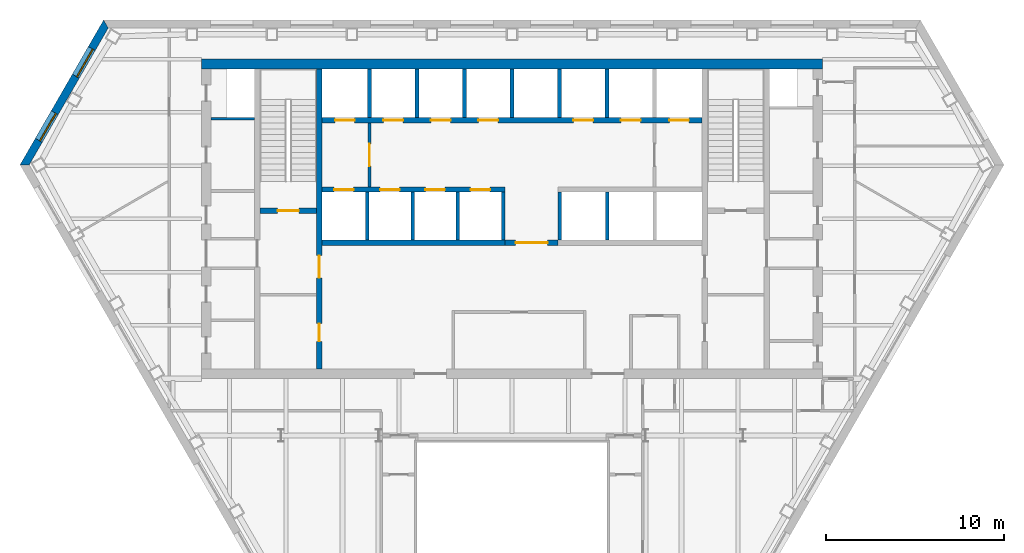
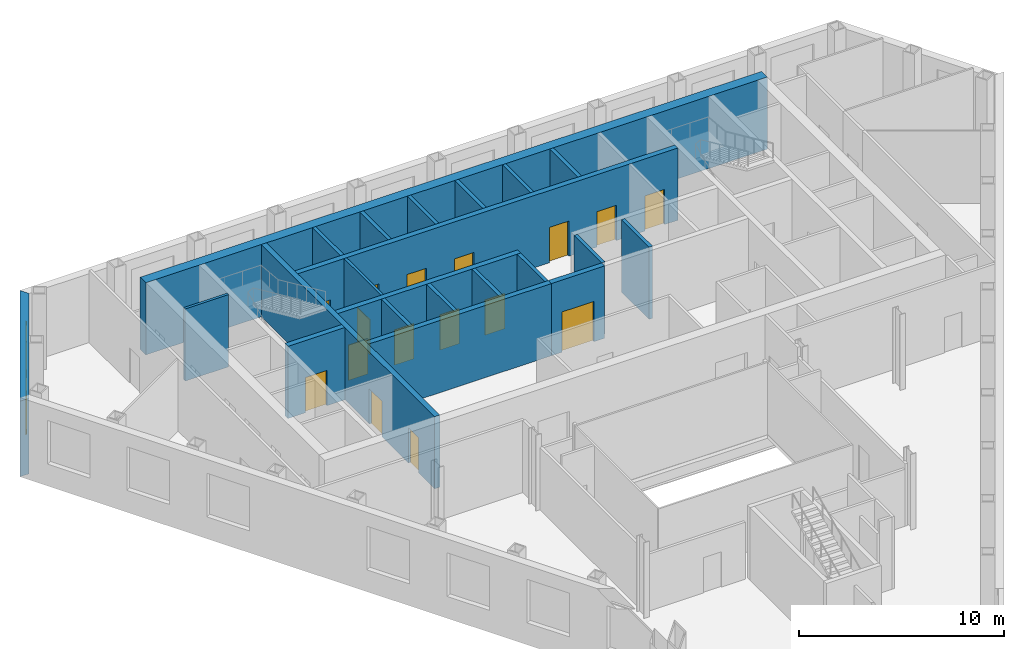
# One storey, part 6 of 11: 22 walls, 16 doors, 2 windows, 18 openings.
"""IFC4 building model written with IfcOpenShell, lengths in metres."""

from ifc_helpers import new_model, si_unit, direction, frame, frame_2d, origin, place, context, subcontext, project, spatial, polyline, rectangle, outline, extrude, material, layer, layer_set, type_object, element, fill, save


model = new_model("IFC4")

# Units and contexts
model_context = context("Model", 3, precision=1e-05, world=origin(), true_north=direction((0.0, 1.0)))
body_context = subcontext(model_context, "Body", "Model", "MODEL_VIEW")
ifc_project = project(units=[si_unit("LENGTHUNIT", "METRE"), si_unit("AREAUNIT", "SQUARE_METRE"), si_unit("VOLUMEUNIT", "CUBIC_METRE"), si_unit("PLANEANGLEUNIT", "RADIAN"), si_unit("MASSUNIT", "GRAM", prefix="KILO")], contexts=[model_context])

# Site, building, storey
site_placement = place(None, origin())
site = spatial("IfcSite", under=ifc_project, at=site_placement, CompositionType="ELEMENT")
building_placement = place(site_placement, origin())
building = spatial("IfcBuilding", under=site, at=building_placement, Name="Njiva Tower", CompositionType="ELEMENT")
storey_placement = place(building_placement, frame((0.0, 0.0, 129.3)))
storey = spatial("IfcBuildingStorey", under=building, at=storey_placement, Name="L27", CompositionType="ELEMENT", Elevation=129.3)

# Wall, openings, doors
ifc_material_1 = material(Name="Concrete C40/50", Category="concrete")
ifc_layer_1 = layer(ifc_material_1, 0.3)
ifc_layer_set_1 = layer_set([ifc_layer_1], Name="Concrete C40/50")
wall_type_1 = type_object("IfcWallType", Name="WT10 Stair enclosure wall 300", PredefinedType="SHEAR", material=ifc_layer_set_1)
wall_1_placement = place(storey_placement, frame((-10.85, 0.55, 0.0), z_axis=(0.0, 0.0, 1.0), x_axis=(0.0, 1.0, 0.0)))
wall_1 = element("IfcWall", 1, at=wall_1_placement, inside=storey, type_object=wall_type_1, Name="Stair wall west inner", PredefinedType="SHEAR", context=body_context, shape_type="SweptSolid", body=[
    extrude(rectangle(XDim=16.9, YDim=0.3, at=frame_2d((8.45, 0.0))), origin(), (0.0, 0.0, 1.0), 4.3),
])
opening_1_placement = place(wall_1_placement, frame((5.125, 0.0, 0.0)))
opening_1 = element("IfcOpeningElement", 2, at=opening_1_placement, cuts=wall_1, Name="Opening S09-D914", PredefinedType="OPENING", context=body_context, shape_type="SweptSolid", body=[
    extrude(rectangle(XDim=1.25, YDim=2.1, at=frame_2d((0.625, 1.05))), frame((0.0, 0.16, 0.0), z_axis=(0.0, -1.0, 0.0), x_axis=(1.0, 0.0, 0.0)), (0.0, 0.0, 1.0), 0.32),
])
opening_2_placement = place(wall_1_placement, frame((1.55, 0.0, 0.0)))
opening_2 = element("IfcOpeningElement", 3, at=opening_2_placement, cuts=wall_1, Name="Opening S09-D915", PredefinedType="OPENING", context=body_context, shape_type="SweptSolid", body=[
    extrude(rectangle(XDim=1.0, YDim=2.1, at=frame_2d((0.5, 1.05))), frame((0.0, 0.16, 0.0), z_axis=(0.0, -1.0, 0.0), x_axis=(1.0, 0.0, 0.0)), (0.0, 0.0, 1.0), 0.32),
])
ifc_material_2 = material(Name="Steel door, painted", Category="steel")
door_type_1 = type_object("IfcDoorType", Name="D5 Steel door 1000x2100", OperationType="SINGLE_SWING_LEFT", PredefinedType="DOOR", material=ifc_material_2)
door_1_placement = place(opening_2_placement, origin())
door_1 = element("IfcDoor", 4, at=door_1_placement, inside=storey, type_object=door_type_1, Name="Breakout room door", OperationType="SINGLE_SWING_RIGHT", OverallHeight=2.1, OverallWidth=1.0, PredefinedType="DOOR", context=body_context, shape_type="SweptSolid", body=[
    extrude(rectangle(XDim=1.0, YDim=2.1, at=frame_2d((0.5, 1.05))), frame((0.0, 0.025, 0.0), z_axis=(0.0, -1.0, 0.0), x_axis=(1.0, 0.0, 0.0)), (0.0, 0.0, 1.0), 0.05),
])
fill(opening_2, door_1)
ifc_material_3 = material(Name="Glazed steel fire door", Category="steel")
door_type_2 = type_object("IfcDoorType", Name="D8 Vestibule corridor door 1250x2100 glazed", OperationType="SINGLE_SWING_LEFT", PredefinedType="DOOR", material=ifc_material_3)
door_2_placement = place(opening_1_placement, origin())
door_2 = element("IfcDoor", 5, at=door_2_placement, inside=storey, type_object=door_type_2, Name="Stair vestibule corridor door", OperationType="SINGLE_SWING_LEFT", OverallHeight=2.1, OverallWidth=1.25, PredefinedType="DOOR", context=body_context, shape_type="SweptSolid", body=[
    extrude(rectangle(XDim=1.25, YDim=2.1, at=frame_2d((0.625, 1.05))), frame((0.0, 0.025, 0.0), z_axis=(0.0, -1.0, 0.0), x_axis=(1.0, 0.0, 0.0)), (0.0, 0.0, 1.0), 0.05),
])
fill(opening_1, door_2)

# Wall, opening, door
wall_2_placement = place(storey_placement, frame((-14.2, 9.45, 0.0), z_axis=(0.0, 0.0, 1.0), x_axis=(1.0, 0.0, 0.0)))
wall_2 = element("IfcWall", 6, at=wall_2_placement, inside=storey, type_object=wall_type_1, Name="Stair A south wall", PredefinedType="SHEAR", context=body_context, shape_type="SweptSolid", body=[
    extrude(rectangle(XDim=3.2, YDim=0.3, at=frame_2d((1.6, 0.0))), origin(), (0.0, 0.0, 1.0), 4.3),
])
opening_3_placement = place(wall_2_placement, frame((1.0, 0.0, 0.0)))
opening_3 = element("IfcOpeningElement", 7, at=opening_3_placement, cuts=wall_2, Name="Opening S09-D913", PredefinedType="OPENING", context=body_context, shape_type="SweptSolid", body=[
    extrude(rectangle(XDim=1.2, YDim=2.1, at=frame_2d((0.6, 1.05))), frame((0.0, 0.16, 0.0), z_axis=(0.0, -1.0, 0.0), x_axis=(1.0, 0.0, 0.0)), (0.0, 0.0, 1.0), 0.32),
])
door_type_3 = type_object("IfcDoorType", Name="D7 Stair vestibule door 1200x2100 glazed", OperationType="SINGLE_SWING_LEFT", PredefinedType="DOOR", material=ifc_material_3)
door_3_placement = place(opening_3_placement, origin())
door_3 = element("IfcDoor", 8, at=door_3_placement, inside=storey, type_object=door_type_3, Name="Stair A door", OperationType="SINGLE_SWING_LEFT", OverallHeight=2.1, OverallWidth=1.2, PredefinedType="DOOR", context=body_context, shape_type="SweptSolid", body=[
    extrude(rectangle(XDim=1.2, YDim=2.1, at=frame_2d((0.6, 1.05))), frame((0.0, 0.025, 0.0), z_axis=(0.0, -1.0, 0.0), x_axis=(1.0, 0.0, 0.0)), (0.0, 0.0, 1.0), 0.05),
])
fill(opening_3, door_3)

# Wall
ifc_material_4 = material(Name="Concrete C60/75", Category="concrete")
ifc_layer_2 = layer(ifc_material_4, 0.55)
ifc_layer_set_2 = layer_set([ifc_layer_2], Name="Concrete C60/75")
wall_type_2 = type_object("IfcWallType", Name="WT14 Core wall 550", PredefinedType="SHEAR", material=ifc_layer_set_2)
wall_3_placement = place(storey_placement, frame((-17.5, 17.725, 0.0), z_axis=(0.0, 0.0, 1.0), x_axis=(1.0, 0.0, 0.0)))
element("IfcWall", 9, at=wall_3_placement, inside=storey, type_object=wall_type_2, Name="Core wall north", PredefinedType="SHEAR", context=body_context, shape_type="SweptSolid", body=[
    extrude(rectangle(XDim=35.0, YDim=0.55, at=frame_2d((17.5, 0.0))), origin(), (0.0, 0.0, 1.0), 4.3),
])

# Wall, opening, door
ifc_material_5 = material(Name="Blockwork", Category="masonry")
ifc_layer_3 = layer(ifc_material_5, 0.15)
ifc_layer_set_3 = layer_set([ifc_layer_3], Name="Blockwork")
wall_type_3 = type_object("IfcWallType", Name="WT2 Lobby partition 150", PredefinedType="PARTITIONING", material=ifc_layer_set_3)
wall_4_placement = place(storey_placement, frame((-8.025, 10.8, 0.0), z_axis=(0.0, 0.0, 1.0), x_axis=(0.0, 1.0, 0.0)))
wall_4 = element("IfcWall", 10, at=wall_4_placement, inside=storey, type_object=wall_type_3, Name="Firefighting lobby wall A", PredefinedType="PARTITIONING", context=body_context, shape_type="SweptSolid", body=[
    extrude(rectangle(XDim=3.6, YDim=0.15, at=frame_2d((1.8, 0.0))), origin(), (0.0, 0.0, 1.0), 4.3),
])
opening_4_placement = place(wall_4_placement, frame((1.175, 0.0, 0.0)))
opening_4 = element("IfcOpeningElement", 11, at=opening_4_placement, cuts=wall_4, Name="Opening S09-D912", PredefinedType="OPENING", context=body_context, shape_type="SweptSolid", body=[
    extrude(rectangle(XDim=1.25, YDim=2.1, at=frame_2d((0.625, 1.05))), frame((0.0, 0.085, 0.0), z_axis=(0.0, -1.0, 0.0), x_axis=(1.0, 0.0, 0.0)), (0.0, 0.0, 1.0), 0.17),
])
door_4_placement = place(opening_4_placement, origin())
door_4 = element("IfcDoor", 12, at=door_4_placement, inside=storey, type_object=door_type_2, Name="Stair vestibule corridor door", OperationType="SINGLE_SWING_RIGHT", OverallHeight=2.1, OverallWidth=1.25, PredefinedType="DOOR", context=body_context, shape_type="SweptSolid", body=[
    extrude(rectangle(XDim=1.25, YDim=2.1, at=frame_2d((0.625, 1.05))), frame((0.0, 0.025, 0.0), z_axis=(0.0, -1.0, 0.0), x_axis=(1.0, 0.0, 0.0)), (0.0, 0.0, 1.0), 0.05),
])
fill(opening_4, door_4)

# Wall
ifc_layer_4 = layer(ifc_material_5, 0.15)
ifc_layer_set_4 = layer_set([ifc_layer_4], Name="Blockwork")
wall_type_4 = type_object("IfcWallType", Name="WT3 Riser partition 150", PredefinedType="PARTITIONING", material=ifc_layer_set_4)
wall_5_placement = place(storey_placement, frame((-16.95, 14.6346, 0.0), z_axis=(0.0, 0.0, 1.0), x_axis=(1.0, 0.0, 0.0)))
element("IfcWall", 13, at=wall_5_placement, inside=storey, type_object=wall_type_4, Name="Partition strip W11", PredefinedType="PARTITIONING", context=body_context, shape_type="SweptSolid", body=[
    extrude(rectangle(XDim=2.45, YDim=0.15, at=frame_2d((1.225, 0.0))), origin(), (0.0, 0.0, 1.0), 4.3),
])

# Wall, opening, door
ifc_layer_5 = layer(ifc_material_5, 0.3)
ifc_layer_set_5 = layer_set([ifc_layer_5], Name="Blockwork")
wall_type_5 = type_object("IfcWallType", Name="WT5 Lobby partition 300", PredefinedType="PARTITIONING", material=ifc_layer_set_5)
wall_6_placement = place(storey_placement, frame((-0.4, 7.65, 0.0), z_axis=(0.0, 0.0, 1.0), x_axis=(1.0, 0.0, 0.0)))
wall_6 = element("IfcWall", 14, at=wall_6_placement, inside=storey, type_object=wall_type_5, Name="Lift lobby screen wall", PredefinedType="PARTITIONING", context=body_context, shape_type="SweptSolid", body=[
    extrude(rectangle(XDim=3.0, YDim=0.3, at=frame_2d((1.5, 0.0))), origin(), (0.0, 0.0, 1.0), 4.3),
])
opening_5_placement = place(wall_6_placement, frame((0.6, 0.0, 0.0)))
opening_5 = element("IfcOpeningElement", 15, at=opening_5_placement, cuts=wall_6, Name="Opening S09-D936", PredefinedType="OPENING", context=body_context, shape_type="SweptSolid", body=[
    extrude(rectangle(XDim=1.8, YDim=2.4, at=frame_2d((0.9, 1.2))), frame((0.0, 0.16, 0.0), z_axis=(0.0, -1.0, 0.0), x_axis=(1.0, 0.0, 0.0)), (0.0, 0.0, 1.0), 0.32),
])
ifc_material_6 = material(Name="Steel and glass door", Category="steel")
door_type_4 = type_object("IfcDoorType", Name="D3 Core entrance door 1800x2400", OperationType="DOUBLE_DOOR_SINGLE_SWING", PredefinedType="DOOR", material=ifc_material_6)
door_5_placement = place(opening_5_placement, origin())
door_5 = element("IfcDoor", 16, at=door_5_placement, inside=storey, type_object=door_type_4, Name="Core entrance door", OperationType="DOUBLE_DOOR_SINGLE_SWING", OverallHeight=2.4, OverallWidth=1.8, PredefinedType="DOOR", context=body_context, shape_type="SweptSolid", body=[
    extrude(rectangle(XDim=1.8, YDim=2.4, at=frame_2d((0.9, 1.2))), frame((0.0, 0.025, 0.0), z_axis=(0.0, -1.0, 0.0), x_axis=(1.0, 0.0, 0.0)), (0.0, 0.0, 1.0), 0.05),
])
fill(opening_5, door_5)

# Walls
ifc_layer_6 = layer(ifc_material_1, 0.2)
ifc_layer_set_6 = layer_set([ifc_layer_6], Name="Concrete C40/50")
wall_type_6 = type_object("IfcWallType", Name="WT6 Lift shaft wall 200", PredefinedType="SHEAR", material=ifc_layer_set_6)
for number, where, z_axis, x_axis, name in (
    (17, (-8.025, 14.7, 0.0), (0.0, 0.0, 1.0), (0.0, 1.0, 0.0), "Shaft wall CN1"),
    (18, (-5.35, 14.7, 0.0), (0.0, 0.0, 1.0), (0.0, 1.0, 0.0), "Shaft wall CN2"),
    (19, (-2.675, 14.7, 0.0), (0.0, 0.0, 1.0), (0.0, 1.0, 0.0), "Shaft wall CN3"),
    (20, (0.0, 14.7, 0.0), (0.0, 0.0, 1.0), (0.0, 1.0, 0.0), "Shaft wall CN4"),
    (21, (2.675, 14.7, 0.0), (0.0, 0.0, 1.0), (0.0, 1.0, 0.0), "Shaft wall CN5"),
    (22, (5.35, 14.7, 0.0), (0.0, 0.0, 1.0), (0.0, 1.0, 0.0), "Shaft wall CN6"),
):
    element("IfcWall", number, at=place(storey_placement, frame(where, z_axis=z_axis, x_axis=x_axis)), inside=storey, type_object=wall_type_6, Name=name, PredefinedType="SHEAR", context=body_context, shape_type="SweptSolid", body=[
        extrude(rectangle(XDim=2.75, YDim=0.2, at=frame_2d((1.375, 0.0))), origin(), (0.0, 0.0, 1.0), 4.3),
    ])
for number, where, z_axis, x_axis, name in (
    (23, (-8.15, 7.8, 0.0), (0.0, 0.0, 1.0), (0.0, 1.0, 0.0), "Shaft wall CS1"),
    (24, (-5.6, 7.8, 0.0), (0.0, 0.0, 1.0), (0.0, 1.0, 0.0), "Shaft wall CS2"),
    (25, (-3.05, 7.8, 0.0), (0.0, 0.0, 1.0), (0.0, 1.0, 0.0), "Shaft wall CS3"),
    (26, (-0.5, 7.8, 0.0), (0.0, 0.0, 1.0), (0.0, 1.0, 0.0), "Shaft wall CS4"),
    (27, (2.7, 7.8, 0.0), (0.0, 0.0, 1.0), (0.0, 1.0, 0.0), "Shaft wall CS5"),
    (28, (5.3667, 7.8, 0.0), (0.0, 0.0, 1.0), (0.0, 1.0, 0.0), "Shaft wall CS6"),
):
    element("IfcWall", number, at=place(storey_placement, frame(where, z_axis=z_axis, x_axis=x_axis)), inside=storey, type_object=wall_type_6, Name=name, PredefinedType="SHEAR", context=body_context, shape_type="SweptSolid", body=[
        extrude(rectangle(XDim=2.7, YDim=0.2, at=frame_2d((1.35, 0.0))), origin(), (0.0, 0.0, 1.0), 4.3),
    ])

# Wall, openings, doors
ifc_layer_7 = layer(ifc_material_1, 0.3)
ifc_layer_set_7 = layer_set([ifc_layer_7], Name="Concrete C40/50")
wall_type_7 = type_object("IfcWallType", Name="WT7 Lift shaft wall 300", PredefinedType="SHEAR", material=ifc_layer_set_7)
wall_7_placement = place(storey_placement, frame((-10.7, 14.55, 0.0), z_axis=(0.0, 0.0, 1.0), x_axis=(1.0, 0.0, 0.0)))
wall_7 = element("IfcWall", 29, at=wall_7_placement, inside=storey, type_object=wall_type_7, Name="Shaft wall north row lobby side", PredefinedType="SHEAR", context=body_context, shape_type="SweptSolid", body=[
    extrude(rectangle(XDim=21.4, YDim=0.3, at=frame_2d((10.7, 0.0))), origin(), (0.0, 0.0, 1.0), 4.3),
])
opening_6_placement = place(wall_7_placement, frame((0.7375, 0.0, 0.0)))
opening_6 = element("IfcOpeningElement", 30, at=opening_6_placement, cuts=wall_7, Name="Opening S09-D901", PredefinedType="OPENING", context=body_context, shape_type="SweptSolid", body=[
    extrude(rectangle(XDim=1.1, YDim=2.1, at=frame_2d((0.55, 1.05))), frame((0.0, 0.16, 0.0), z_axis=(0.0, -1.0, 0.0), x_axis=(1.0, 0.0, 0.0)), (0.0, 0.0, 1.0), 0.32),
])
opening_7_placement = place(wall_7_placement, frame((3.4625, 0.0, 0.0)))
opening_7 = element("IfcOpeningElement", 31, at=opening_7_placement, cuts=wall_7, Name="Opening S09-D902", PredefinedType="OPENING", context=body_context, shape_type="SweptSolid", body=[
    extrude(rectangle(XDim=1.1, YDim=2.1, at=frame_2d((0.55, 1.05))), frame((0.0, 0.16, 0.0), z_axis=(0.0, -1.0, 0.0), x_axis=(1.0, 0.0, 0.0)), (0.0, 0.0, 1.0), 0.32),
])
opening_8_placement = place(wall_7_placement, frame((6.1375, 0.0, 0.0)))
opening_8 = element("IfcOpeningElement", 32, at=opening_8_placement, cuts=wall_7, Name="Opening S09-D903", PredefinedType="OPENING", context=body_context, shape_type="SweptSolid", body=[
    extrude(rectangle(XDim=1.1, YDim=2.1, at=frame_2d((0.55, 1.05))), frame((0.0, 0.16, 0.0), z_axis=(0.0, -1.0, 0.0), x_axis=(1.0, 0.0, 0.0)), (0.0, 0.0, 1.0), 0.32),
])
opening_9_placement = place(wall_7_placement, frame((8.8125, 0.0, 0.0)))
opening_9 = element("IfcOpeningElement", 33, at=opening_9_placement, cuts=wall_7, Name="Opening S09-D904", PredefinedType="OPENING", context=body_context, shape_type="SweptSolid", body=[
    extrude(rectangle(XDim=1.1, YDim=2.1, at=frame_2d((0.55, 1.05))), frame((0.0, 0.16, 0.0), z_axis=(0.0, -1.0, 0.0), x_axis=(1.0, 0.0, 0.0)), (0.0, 0.0, 1.0), 0.32),
])
opening_10_placement = place(wall_7_placement, frame((14.1625, 0.0, 0.0)))
opening_10 = element("IfcOpeningElement", 34, at=opening_10_placement, cuts=wall_7, Name="Opening S09-D905", PredefinedType="OPENING", context=body_context, shape_type="SweptSolid", body=[
    extrude(rectangle(XDim=1.1, YDim=2.1, at=frame_2d((0.55, 1.05))), frame((0.0, 0.16, 0.0), z_axis=(0.0, -1.0, 0.0), x_axis=(1.0, 0.0, 0.0)), (0.0, 0.0, 1.0), 0.32),
])
opening_11_placement = place(wall_7_placement, frame((16.8375, 0.0, 0.0)))
opening_11 = element("IfcOpeningElement", 35, at=opening_11_placement, cuts=wall_7, Name="Opening S09-D906", PredefinedType="OPENING", context=body_context, shape_type="SweptSolid", body=[
    extrude(rectangle(XDim=1.1, YDim=2.1, at=frame_2d((0.55, 1.05))), frame((0.0, 0.16, 0.0), z_axis=(0.0, -1.0, 0.0), x_axis=(1.0, 0.0, 0.0)), (0.0, 0.0, 1.0), 0.32),
])
opening_12_placement = place(wall_7_placement, frame((19.5625, 0.0, 0.0)))
opening_12 = element("IfcOpeningElement", 36, at=opening_12_placement, cuts=wall_7, Name="Opening S09-D907", PredefinedType="OPENING", context=body_context, shape_type="SweptSolid", body=[
    extrude(rectangle(XDim=1.1, YDim=2.1, at=frame_2d((0.55, 1.05))), frame((0.0, 0.16, 0.0), z_axis=(0.0, -1.0, 0.0), x_axis=(1.0, 0.0, 0.0)), (0.0, 0.0, 1.0), 0.32),
])
ifc_material_7 = material(Name="Stainless steel sliding door", Category="steel")
door_type_5 = type_object("IfcDoorType", Name="LD Lift landing door 1100x2100", OperationType="SLIDING_TO_LEFT", PredefinedType="DOOR", material=ifc_material_7)
door_6_placement = place(opening_6_placement, origin())
door_6 = element("IfcDoor", 37, at=door_6_placement, inside=storey, type_object=door_type_5, Name="Lift landing door FF1", OperationType="SLIDING_TO_LEFT", OverallHeight=2.1, OverallWidth=1.1, PredefinedType="DOOR", context=body_context, shape_type="SweptSolid", body=[
    extrude(rectangle(XDim=1.1, YDim=2.1, at=frame_2d((0.55, 1.05))), frame((0.0, 0.025, 0.0), z_axis=(0.0, -1.0, 0.0), x_axis=(1.0, 0.0, 0.0)), (0.0, 0.0, 1.0), 0.05),
])
fill(opening_6, door_6)
door_7_placement = place(opening_7_placement, origin())
door_7 = element("IfcDoor", 38, at=door_7_placement, inside=storey, type_object=door_type_5, Name="Lift landing door LB1", OperationType="SLIDING_TO_LEFT", OverallHeight=2.1, OverallWidth=1.1, PredefinedType="DOOR", context=body_context, shape_type="SweptSolid", body=[
    extrude(rectangle(XDim=1.1, YDim=2.1, at=frame_2d((0.55, 1.05))), frame((0.0, 0.025, 0.0), z_axis=(0.0, -1.0, 0.0), x_axis=(1.0, 0.0, 0.0)), (0.0, 0.0, 1.0), 0.05),
])
fill(opening_7, door_7)
door_8_placement = place(opening_8_placement, origin())
door_8 = element("IfcDoor", 39, at=door_8_placement, inside=storey, type_object=door_type_5, Name="Lift landing door LB2", OperationType="SLIDING_TO_LEFT", OverallHeight=2.1, OverallWidth=1.1, PredefinedType="DOOR", context=body_context, shape_type="SweptSolid", body=[
    extrude(rectangle(XDim=1.1, YDim=2.1, at=frame_2d((0.55, 1.05))), frame((0.0, 0.025, 0.0), z_axis=(0.0, -1.0, 0.0), x_axis=(1.0, 0.0, 0.0)), (0.0, 0.0, 1.0), 0.05),
])
fill(opening_8, door_8)
door_9_placement = place(opening_9_placement, origin())
door_9 = element("IfcDoor", 40, at=door_9_placement, inside=storey, type_object=door_type_5, Name="Lift landing door LB3", OperationType="SLIDING_TO_LEFT", OverallHeight=2.1, OverallWidth=1.1, PredefinedType="DOOR", context=body_context, shape_type="SweptSolid", body=[
    extrude(rectangle(XDim=1.1, YDim=2.1, at=frame_2d((0.55, 1.05))), frame((0.0, 0.025, 0.0), z_axis=(0.0, -1.0, 0.0), x_axis=(1.0, 0.0, 0.0)), (0.0, 0.0, 1.0), 0.05),
])
fill(opening_9, door_9)
door_10_placement = place(opening_10_placement, origin())
door_10 = element("IfcDoor", 41, at=door_10_placement, inside=storey, type_object=door_type_5, Name="Lift landing door FR1", OperationType="SLIDING_TO_LEFT", OverallHeight=2.1, OverallWidth=1.1, PredefinedType="DOOR", context=body_context, shape_type="SweptSolid", body=[
    extrude(rectangle(XDim=1.1, YDim=2.1, at=frame_2d((0.55, 1.05))), frame((0.0, 0.025, 0.0), z_axis=(0.0, -1.0, 0.0), x_axis=(1.0, 0.0, 0.0)), (0.0, 0.0, 1.0), 0.05),
])
fill(opening_10, door_10)
door_11_placement = place(opening_11_placement, origin())
door_11 = element("IfcDoor", 42, at=door_11_placement, inside=storey, type_object=door_type_5, Name="Lift landing door FR2", OperationType="SLIDING_TO_LEFT", OverallHeight=2.1, OverallWidth=1.1, PredefinedType="DOOR", context=body_context, shape_type="SweptSolid", body=[
    extrude(rectangle(XDim=1.1, YDim=2.1, at=frame_2d((0.55, 1.05))), frame((0.0, 0.025, 0.0), z_axis=(0.0, -1.0, 0.0), x_axis=(1.0, 0.0, 0.0)), (0.0, 0.0, 1.0), 0.05),
])
fill(opening_11, door_11)
door_12_placement = place(opening_12_placement, origin())
door_12 = element("IfcDoor", 43, at=door_12_placement, inside=storey, type_object=door_type_5, Name="Lift landing door FF2", OperationType="SLIDING_TO_LEFT", OverallHeight=2.1, OverallWidth=1.1, PredefinedType="DOOR", context=body_context, shape_type="SweptSolid", body=[
    extrude(rectangle(XDim=1.1, YDim=2.1, at=frame_2d((0.55, 1.05))), frame((0.0, 0.025, 0.0), z_axis=(0.0, -1.0, 0.0), x_axis=(1.0, 0.0, 0.0)), (0.0, 0.0, 1.0), 0.05),
])
fill(opening_12, door_12)

wall_8_placement = place(storey_placement, frame((-10.7, 10.65, 0.0), z_axis=(0.0, 0.0, 1.0), x_axis=(1.0, 0.0, 0.0)))
wall_8 = element("IfcWall", 44, at=wall_8_placement, inside=storey, type_object=wall_type_7, Name="Shaft wall south row lobby side W", PredefinedType="SHEAR", context=body_context, shape_type="SweptSolid", body=[
    extrude(rectangle(XDim=10.3, YDim=0.3, at=frame_2d((5.15, 0.0))), origin(), (0.0, 0.0, 1.0), 4.3),
])
opening_13_placement = place(wall_8_placement, frame((0.675, 0.0, 0.0)))
opening_13 = element("IfcOpeningElement", 45, at=opening_13_placement, cuts=wall_8, Name="Opening S09-D908", PredefinedType="OPENING", context=body_context, shape_type="SweptSolid", body=[
    extrude(rectangle(XDim=1.1, YDim=2.1, at=frame_2d((0.55, 1.05))), frame((0.0, 0.16, 0.0), z_axis=(0.0, -1.0, 0.0), x_axis=(1.0, 0.0, 0.0)), (0.0, 0.0, 1.0), 0.32),
])
opening_14_placement = place(wall_8_placement, frame((3.275, 0.0, 0.0)))
opening_14 = element("IfcOpeningElement", 46, at=opening_14_placement, cuts=wall_8, Name="Opening S09-D909", PredefinedType="OPENING", context=body_context, shape_type="SweptSolid", body=[
    extrude(rectangle(XDim=1.1, YDim=2.1, at=frame_2d((0.55, 1.05))), frame((0.0, 0.16, 0.0), z_axis=(0.0, -1.0, 0.0), x_axis=(1.0, 0.0, 0.0)), (0.0, 0.0, 1.0), 0.32),
])
opening_15_placement = place(wall_8_placement, frame((5.825, 0.0, 0.0)))
opening_15 = element("IfcOpeningElement", 47, at=opening_15_placement, cuts=wall_8, Name="Opening S09-D910", PredefinedType="OPENING", context=body_context, shape_type="SweptSolid", body=[
    extrude(rectangle(XDim=1.1, YDim=2.1, at=frame_2d((0.55, 1.05))), frame((0.0, 0.16, 0.0), z_axis=(0.0, -1.0, 0.0), x_axis=(1.0, 0.0, 0.0)), (0.0, 0.0, 1.0), 0.32),
])
opening_16_placement = place(wall_8_placement, frame((8.375, 0.0, 0.0)))
opening_16 = element("IfcOpeningElement", 48, at=opening_16_placement, cuts=wall_8, Name="Opening S09-D911", PredefinedType="OPENING", context=body_context, shape_type="SweptSolid", body=[
    extrude(rectangle(XDim=1.1, YDim=2.1, at=frame_2d((0.55, 1.05))), frame((0.0, 0.16, 0.0), z_axis=(0.0, -1.0, 0.0), x_axis=(1.0, 0.0, 0.0)), (0.0, 0.0, 1.0), 0.32),
])
door_13_placement = place(opening_13_placement, origin())
door_13 = element("IfcDoor", 49, at=door_13_placement, inside=storey, type_object=door_type_5, Name="Lift landing door LB4", OperationType="SLIDING_TO_LEFT", OverallHeight=2.1, OverallWidth=1.1, PredefinedType="DOOR", context=body_context, shape_type="SweptSolid", body=[
    extrude(rectangle(XDim=1.1, YDim=2.1, at=frame_2d((0.55, 1.05))), frame((0.0, 0.025, 0.0), z_axis=(0.0, -1.0, 0.0), x_axis=(1.0, 0.0, 0.0)), (0.0, 0.0, 1.0), 0.05),
])
fill(opening_13, door_13)
door_14_placement = place(opening_14_placement, origin())
door_14 = element("IfcDoor", 50, at=door_14_placement, inside=storey, type_object=door_type_5, Name="Lift landing door LB5", OperationType="SLIDING_TO_LEFT", OverallHeight=2.1, OverallWidth=1.1, PredefinedType="DOOR", context=body_context, shape_type="SweptSolid", body=[
    extrude(rectangle(XDim=1.1, YDim=2.1, at=frame_2d((0.55, 1.05))), frame((0.0, 0.025, 0.0), z_axis=(0.0, -1.0, 0.0), x_axis=(1.0, 0.0, 0.0)), (0.0, 0.0, 1.0), 0.05),
])
fill(opening_14, door_14)
door_15_placement = place(opening_15_placement, origin())
door_15 = element("IfcDoor", 51, at=door_15_placement, inside=storey, type_object=door_type_5, Name="Lift landing door LB6", OperationType="SLIDING_TO_LEFT", OverallHeight=2.1, OverallWidth=1.1, PredefinedType="DOOR", context=body_context, shape_type="SweptSolid", body=[
    extrude(rectangle(XDim=1.1, YDim=2.1, at=frame_2d((0.55, 1.05))), frame((0.0, 0.025, 0.0), z_axis=(0.0, -1.0, 0.0), x_axis=(1.0, 0.0, 0.0)), (0.0, 0.0, 1.0), 0.05),
])
fill(opening_15, door_15)
door_16_placement = place(opening_16_placement, origin())
door_16 = element("IfcDoor", 52, at=door_16_placement, inside=storey, type_object=door_type_5, Name="Lift landing door LB7", OperationType="SLIDING_TO_LEFT", OverallHeight=2.1, OverallWidth=1.1, PredefinedType="DOOR", context=body_context, shape_type="SweptSolid", body=[
    extrude(rectangle(XDim=1.1, YDim=2.1, at=frame_2d((0.55, 1.05))), frame((0.0, 0.025, 0.0), z_axis=(0.0, -1.0, 0.0), x_axis=(1.0, 0.0, 0.0)), (0.0, 0.0, 1.0), 0.05),
])
fill(opening_16, door_16)

# Wall
wall_9_placement = place(storey_placement, frame((-10.7, 7.65, 0.0), z_axis=(0.0, 0.0, 1.0), x_axis=(1.0, 0.0, 0.0)))
element("IfcWall", 53, at=wall_9_placement, inside=storey, type_object=wall_type_7, Name="Shaft wall south row back W", PredefinedType="SHEAR", context=body_context, shape_type="SweptSolid", body=[
    extrude(rectangle(XDim=10.3, YDim=0.3, at=frame_2d((5.15, 0.0))), origin(), (0.0, 0.0, 1.0), 4.3),
])

# Wall, openings, windows
ifc_material_8 = material(Name="Brick masonry, buff", Category="masonry")
ifc_layer_8 = layer(ifc_material_8, 0.45)
ifc_layer_set_8 = layer_set([ifc_layer_8], Name="Brick masonry, buff")
wall_type_8 = type_object("IfcWallType", Name="WT94 Brick pier and spandrel wall 450, buff", PredefinedType="SOLIDWALL", material=ifc_layer_set_8)
wall_10_placement = place(storey_placement, frame((-22.8701, 19.975, -0.4), z_axis=(0.0, 0.0, 1.0), x_axis=(-0.499998388237, -0.866026334334, 0.0)))
wall_10 = element("IfcWall", 54, at=wall_10_placement, inside=storey, type_object=wall_type_8, Name="Facade wall NW", PredefinedType="SOLIDWALL", context=body_context, shape_type="SweptSolid", body=[
    extrude(outline(polyline([(-0.1299, -0.225), (9.2901, -0.225), (9.0303, 0.225), (0.1299, 0.225), (-0.1299, -0.225)])), origin(), (0.0, 0.0, 1.0), 4.5),
])
opening_17_placement = place(wall_10_placement, frame((1.5944, 0.0, 1.3)))
opening_17 = element("IfcOpeningElement", 55, at=opening_17_placement, cuts=wall_10, Name="Opening S09-W10", PredefinedType="OPENING", context=body_context, shape_type="SweptSolid", body=[
    extrude(rectangle(XDim=1.8, YDim=2.6, at=frame_2d((0.9, 1.3))), frame((0.0, 0.235, 0.0), z_axis=(0.0, -1.0, 0.0), x_axis=(1.0, 0.0, 0.0)), (0.0, 0.0, 1.0), 0.47),
])
opening_18_placement = place(wall_10_placement, frame((5.7657, 0.0, 1.3)))
opening_18 = element("IfcOpeningElement", 56, at=opening_18_placement, cuts=wall_10, Name="Opening S09-W11", PredefinedType="OPENING", context=body_context, shape_type="SweptSolid", body=[
    extrude(rectangle(XDim=1.8, YDim=2.6, at=frame_2d((0.9, 1.3))), frame((0.0, 0.235, 0.0), z_axis=(0.0, -1.0, 0.0), x_axis=(1.0, 0.0, 0.0)), (0.0, 0.0, 1.0), 0.47),
])
ifc_material_9 = material(Name="Clear glazing in aluminium frame", Category="aluminium")
window_type = type_object("IfcWindowType", Name="W96 Deep-set window 1800x2600", PartitioningType="SINGLE_PANEL", PredefinedType="WINDOW", material=ifc_material_9)
window_1_placement = place(opening_17_placement, origin())
window_1 = element("IfcWindow", 57, at=window_1_placement, inside=storey, type_object=window_type, Name="Window", OverallHeight=2.6, OverallWidth=1.8, PartitioningType="SINGLE_PANEL", PredefinedType="WINDOW", context=body_context, shape_type="SweptSolid", body=[
    extrude(rectangle(XDim=1.8, YDim=2.6, at=frame_2d((0.9, 1.3))), frame((0.0, 0.105, 0.0), z_axis=(0.0, -1.0, 0.0), x_axis=(1.0, 0.0, 0.0)), (0.0, 0.0, 1.0), 0.06),
])
fill(opening_17, window_1)
window_2_placement = place(opening_18_placement, origin())
window_2 = element("IfcWindow", 58, at=window_2_placement, inside=storey, type_object=window_type, Name="Window", OverallHeight=2.6, OverallWidth=1.8, PartitioningType="SINGLE_PANEL", PredefinedType="WINDOW", context=body_context, shape_type="SweptSolid", body=[
    extrude(rectangle(XDim=1.8, YDim=2.6, at=frame_2d((0.9, 1.3))), frame((0.0, 0.105, 0.0), z_axis=(0.0, -1.0, 0.0), x_axis=(1.0, 0.0, 0.0)), (0.0, 0.0, 1.0), 0.06),
])
fill(opening_18, window_2)

save(model, "model.ifc")
